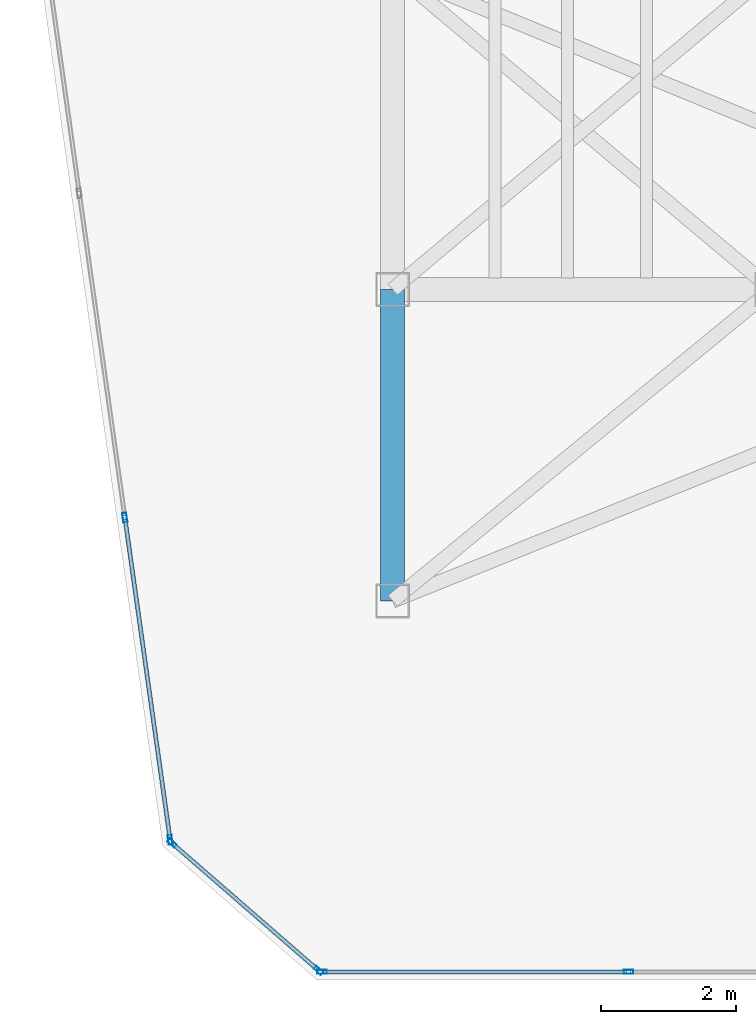
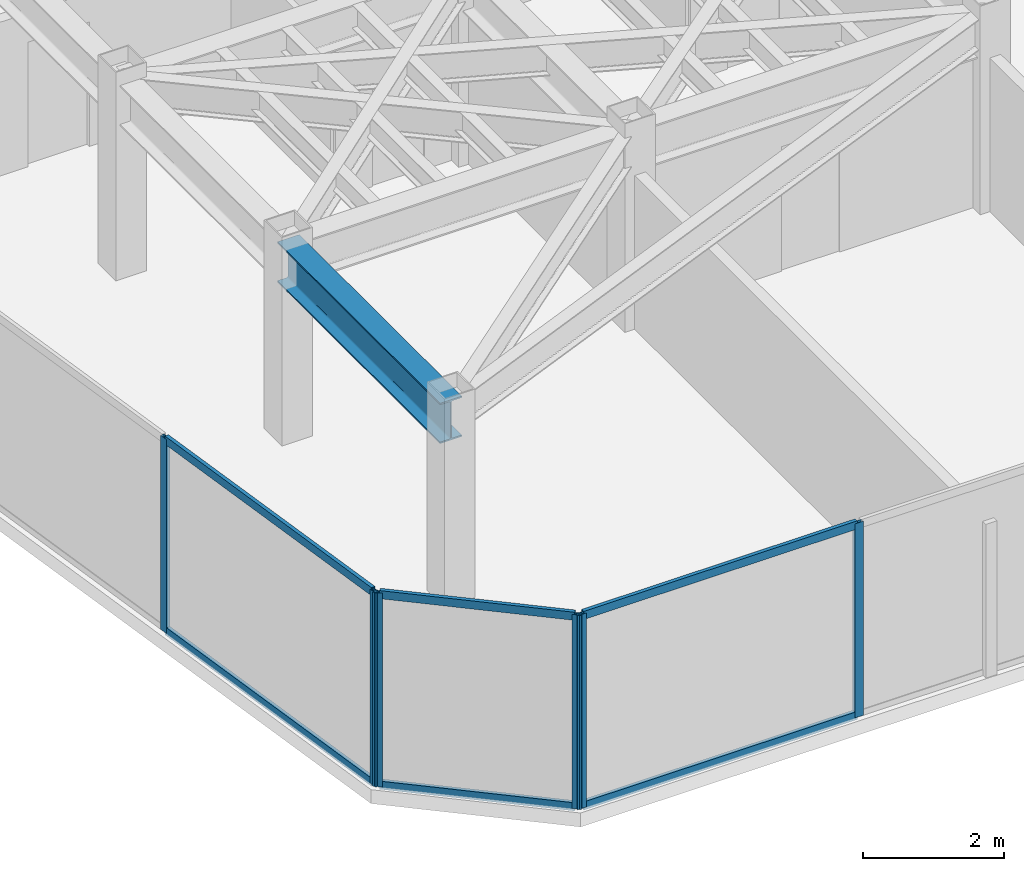
# One storey, part 2 of 20: 12 members, 1 beam, 3 elements without a shape of their own.
"""IFC4 building model written with IfcOpenShell, lengths in metres."""

import ifcopenshell
import ifcopenshell.guid

model = None  # the IFC model being written
_history = None  # IfcOwnerHistory: only IFC2X3 demands one
_inside = {}  # id of a spatial element -> (the spatial element, [elements in it])
_under = {}  # id of a project, library or spatial element -> (it, [spatial elements below it])
_declared = {}  # id of a project -> (the project, [libraries it declares])
_typed = {}  # id of a type object -> (the type object, [elements of that type])
_made_of = {}  # id of a material, layer set ... -> (it, [elements and type objects made of it])


def new_model(schema):
    """Start an empty IFC model of exactly this schema.

    Asked for "IFC4X3", IfcOpenShell would pick the latest addendum, in which some entities
    have other attributes; the version numbers below select the first issue.
    IFC2X3 requires an IfcOwnerHistory on every rooted entity: one is made here for all.
    """
    global model, _history
    if schema == "IFC4X3":
        model = ifcopenshell.file(schema_version=(4, 3, 0, 0))
    else:
        model = ifcopenshell.file(schema=schema)
    _inside.clear()
    _under.clear()
    _declared.clear()
    _typed.clear()
    _made_of.clear()
    _history = None
    if model.schema == "IFC2X3":
        org = make("IfcOrganization", Name="unknown")
        user = make(
            "IfcPersonAndOrganization",
            ThePerson=make("IfcPerson", FamilyName="unknown"),
            TheOrganization=org,
        )
        app = make(
            "IfcApplication",
            ApplicationDeveloper=org,
            Version="unknown",
            ApplicationFullName="unknown",
            ApplicationIdentifier="unknown",
        )
        _history = make(
            "IfcOwnerHistory",
            OwningUser=user,
            OwningApplication=app,
            ChangeAction="ADDED",
            CreationDate=0,
        )
    return model


def make(cls, **values):
    """One entity of the class cls with the attributes given. An attribute that is None is left unset."""
    return model.create_entity(
        cls, **{name: value for name, value in values.items() if value is not None}
    )


def rooted(cls, **values):
    """An entity with a GlobalId (a new one), such as an element, a storey or a relation."""
    return make(cls, GlobalId=ifcopenshell.guid.new(), OwnerHistory=_history, **values)


def si_unit(unit_type, name, prefix=None):
    """IfcSIUnit, for example si_unit("LENGTHUNIT", "METRE", prefix="MILLI")."""
    return make("IfcSIUnit", UnitType=unit_type, Prefix=prefix, Name=name)


def assignment(units):
    """IfcUnitAssignment: the units of a project."""
    return None if units is None else make("IfcUnitAssignment", Units=units)


def point(xyz):
    """IfcCartesianPoint."""
    return None if xyz is None else make("IfcCartesianPoint", Coordinates=xyz)


def direction(xyz):
    """IfcDirection."""
    return None if xyz is None else make("IfcDirection", DirectionRatios=xyz)


def frame(location, z_axis=None, x_axis=None):
    """IfcAxis2Placement3D, a coordinate frame: its origin and axes. An axis left out is left unset."""
    return make(
        "IfcAxis2Placement3D",
        Location=point(location),
        Axis=direction(z_axis),
        RefDirection=direction(x_axis),
    )


def frame_2d(location, x_axis=None):
    """IfcAxis2Placement2D, a coordinate frame in the plane: its origin and x axis."""
    return make(
        "IfcAxis2Placement2D", Location=point(location), RefDirection=direction(x_axis)
    )


def origin():
    """The frame at (0, 0, 0) with its axes left unset."""
    return frame((0.0, 0.0, 0.0))


def origin_2d():
    """The frame at (0, 0) in the plane with its x axis left unset."""
    return frame_2d((0.0, 0.0))


def place(relative_to, where):
    """IfcLocalPlacement: puts the frame where relative to a parent placement (None: the world)."""
    return make(
        "IfcLocalPlacement", PlacementRelTo=relative_to, RelativePlacement=where
    )


def context(
    kind, dimensions, precision=None, world=None, true_north=None, identifier=None
):
    """IfcGeometricRepresentationContext, for example the 3D "Model" context."""
    return make(
        "IfcGeometricRepresentationContext",
        ContextIdentifier=identifier,
        ContextType=kind,
        CoordinateSpaceDimension=dimensions,
        Precision=precision,
        WorldCoordinateSystem=world,
        TrueNorth=true_north,
    )


def subcontext(parent, identifier, kind, view, scale=None):
    """IfcGeometricRepresentationSubContext, for example "Body" below "Model"."""
    return make(
        "IfcGeometricRepresentationSubContext",
        ContextIdentifier=identifier,
        ContextType=kind,
        ParentContext=parent,
        TargetScale=scale,
        TargetView=view,
    )


def project(units=None, contexts=None):
    """IfcProject with its units and contexts."""
    return rooted(
        "IfcProject",
        Name="project",
        RepresentationContexts=contexts,
        UnitsInContext=assignment(units),
    )


def spatial(cls, under=None, at=None, **own):
    """A site, building, storey or space (cls), placed at a placement, below another one or the project."""
    s = rooted(cls, ObjectPlacement=at, **own)
    if under is not None:
        _under.setdefault(under.id(), (under, []))[1].append(s)
    return s


def profile(cls, at=None, kind="AREA", **sizes):
    """A parametric profile (cls). Its sizes go by their IFC names, for example OverallWidth=200.0."""
    return make(cls, ProfileType=kind, Position=at, **sizes)


def hollow_rectangle(**sizes):
    """IfcRectangleHollowProfileDef."""
    return profile("IfcRectangleHollowProfileDef", **sizes)


def i_section(**sizes):
    """IfcIShapeProfileDef."""
    return profile("IfcIShapeProfileDef", **sizes)


def extrude(swept, where, along, depth):
    """IfcExtrudedAreaSolid: the profile swept, set in the frame where, extruded along a direction by depth."""
    return make(
        "IfcExtrudedAreaSolid",
        SweptArea=swept,
        Position=where,
        ExtrudedDirection=direction(along),
        Depth=depth,
    )


def shape(context_of_items, identifier, shape_type, items):
    """IfcShapeRepresentation: the items that make up one representation, for example the "Body"."""
    return make(
        "IfcShapeRepresentation",
        ContextOfItems=context_of_items,
        RepresentationIdentifier=identifier,
        RepresentationType=shape_type,
        Items=items,
    )


def material(Name=None, Category=None):
    """IfcMaterial."""
    return make("IfcMaterial", Name=Name, Category=Category)


def layer(
    of_material, thickness, ventilated=None, Name=None, Category=None, Priority=None
):
    """IfcMaterialLayer: one layer of a wall or slab, of a material (None: an air gap)."""
    return make(
        "IfcMaterialLayer",
        Material=of_material,
        LayerThickness=thickness,
        IsVentilated=ventilated,
        Name=Name,
        Category=Category,
        Priority=Priority,
    )


def layer_set(layers, Name=None):
    """IfcMaterialLayerSet."""
    return make("IfcMaterialLayerSet", MaterialLayers=layers, LayerSetName=Name)


def material_profile(
    of_material, cross_section, Name=None, Category=None, Priority=None
):
    """IfcMaterialProfile: a cross section and its material."""
    return make(
        "IfcMaterialProfile",
        Name=Name,
        Material=of_material,
        Profile=cross_section,
        Priority=Priority,
        Category=Category,
    )


def profile_set(profiles, Name=None, composite=None):
    """IfcMaterialProfileSet."""
    return make(
        "IfcMaterialProfileSet",
        Name=Name,
        MaterialProfiles=profiles,
        CompositeProfile=composite,
    )


def made_of(thing, what):
    """Note that an element or type object is made of a material, layer set ...; save() writes the relation."""
    if what is not None:
        _made_of.setdefault(what.id(), (what, []))[1].append(thing)
    return thing


def type_object(cls, material=None, **own):
    """A type object (cls), such as IfcWallType, which elements share."""
    return made_of(rooted(cls, **own), material)


def element(
    cls,
    number,
    at=None,
    inside=None,
    cuts=None,
    type_object=None,
    material=None,
    context=None,
    identifier="Body",
    shape_type=None,
    held_by="IfcProductDefinitionShape",
    body=None,
    shapes=None,
    **own,
):
    """One element of the class cls, such as IfcWall. Its Tag is "e" and its number.

    at: its placement. inside: the storey or other place that contains it. cuts: it is an
    opening in that element (IfcRelVoidsElement). A single representation is given by context,
    identifier, shape_type and body (its items); several are given by shapes. held_by: the class
    of the entity that holds the representations. save() writes the other relations.
    """
    e = rooted(cls, Tag="e%d" % number, ObjectPlacement=at, **own)
    if body is not None:
        shapes = [shape(context, identifier, shape_type, body)]
    if shapes is not None:
        e.Representation = make(held_by, Representations=shapes)
    if inside is not None:
        _inside.setdefault(inside.id(), (inside, []))[1].append(e)
    if cuts is not None:
        rooted(
            "IfcRelVoidsElement", RelatingBuildingElement=cuts, RelatedOpeningElement=e
        )
    if type_object is not None:
        _typed.setdefault(type_object.id(), (type_object, []))[1].append(e)
    return made_of(e, material)


def aggregate(whole, parts):
    """IfcRelAggregates: a whole, such as a stair, and the parts it consists of."""
    return rooted("IfcRelAggregates", RelatingObject=whole, RelatedObjects=parts)


def save(model, path):
    """Write the relations noted so far, then the file.

    IfcRelAggregates (storeys below a building ...), IfcRelContainedInSpatialStructure (elements
    in a storey), IfcRelDefinesByType, IfcRelAssociatesMaterial and IfcRelDeclares: one each for
    every whole, place, type object, material and project.
    """
    for whole, parts in _under.values():
        aggregate(whole, parts)
    for where, things in _inside.values():
        rooted(
            "IfcRelContainedInSpatialStructure",
            RelatedElements=things,
            RelatingStructure=where,
        )
    for kind, things in _typed.values():
        rooted("IfcRelDefinesByType", RelatedObjects=things, RelatingType=kind)
    for what, things in _made_of.values():
        rooted("IfcRelAssociatesMaterial", RelatedObjects=things, RelatingMaterial=what)
    for by, libraries in _declared.values():
        rooted("IfcRelDeclares", RelatingContext=by, RelatedDefinitions=libraries)
    model.write(path)


model = new_model("IFC4")

# Units and contexts
model_context = context("Model", 3, precision=1e-05, world=origin(), true_north=direction((0.0, 1.0)))
body_context = subcontext(model_context, "Body", "Model", "MODEL_VIEW")
ifc_project = project(units=[si_unit("LENGTHUNIT", "METRE"), si_unit("AREAUNIT", "SQUARE_METRE"), si_unit("VOLUMEUNIT", "CUBIC_METRE"), si_unit("PLANEANGLEUNIT", "RADIAN"), si_unit("MASSUNIT", "GRAM", prefix="KILO")], contexts=[model_context])

# Site, building, storey
site_placement = place(None, origin())
site = spatial("IfcSite", under=ifc_project, at=site_placement, CompositionType="ELEMENT")
building_placement = place(site_placement, origin())
building = spatial("IfcBuilding", under=site, at=building_placement, Name="Kravanh Interchange Tower", CompositionType="ELEMENT")
storey_placement = place(building_placement, frame((0.0, 0.0, 241.800048828125)))
storey = spatial("IfcBuildingStorey", under=building, at=storey_placement, Name="L58", CompositionType="ELEMENT", Elevation=241.800048828125)

# Curtain wall, members
ifc_material_1 = material(Name="Anodised Bronze Aluminium", Category="aluminium")
ifc_layer = layer(ifc_material_1, 0.179931640625)
ifc_layer_set = layer_set([ifc_layer], Name="Unitised Curtain Wall System CW-HTL Luxury Hotel")
curtain_wall_type = type_object("IfcCurtainWallType", Name="Unitised Curtain Wall System CW-HTL Luxury Hotel", PredefinedType="NOTDEFINED", material=ifc_layer_set)
curtain_wall_1_placement = place(storey_placement, origin())
curtain_wall_1 = element("IfcCurtainWall", 1, at=curtain_wall_1_placement, inside=storey, type_object=curtain_wall_type, Name="L58 Unitised Curtain Wall CW-L58-01", PredefinedType="NOTDEFINED")
ifc_material_2 = material(Name="Anodised Bronze Aluminium", Category="aluminium")
ifc_material_profile_1 = material_profile(ifc_material_2, hollow_rectangle(XDim=0.06005859375, YDim=0.139892578125, WallThickness=0.00390625, at=origin_2d()), Name="ALU60X140X4")
ifc_profile_set_1 = profile_set([ifc_material_profile_1], Name="Anodised Bronze Aluminium")
member_type_1 = type_object("IfcMemberType", Name="Curtain Wall Mullion ALU60X140X4 Bronze", PredefinedType="MULLION", material=ifc_profile_set_1)
member_1_placement = place(storey_placement, frame((23.913330078125, 18.67138671875, 0.0), z_axis=(0.0, 0.0, 1.0), x_axis=(-0.990267623707, -0.13917626751, 0.0)))
member_1 = element("IfcMember", 2, at=member_1_placement, type_object=member_type_1, Name="CW-HTL mullion 1", PredefinedType="MULLION", context=body_context, shape_type="SweptSolid", body=[
    extrude(hollow_rectangle(XDim=0.06005859375, YDim=0.139892578125, WallThickness=0.00390625, at=origin_2d()), origin(), (0.0, 0.0, 1.0), 3.349853515625),
])
member_2_placement = place(storey_placement, frame((23.244384765625, 23.43115234375, 0.0), z_axis=(0.0, 0.0, 1.0), x_axis=(-0.990267623707, -0.13917626751, 0.0)))
member_2 = element("IfcMember", 3, at=member_2_placement, type_object=member_type_1, Name="CW-HTL mullion 2", PredefinedType="MULLION", context=body_context, shape_type="SweptSolid", body=[
    extrude(hollow_rectangle(XDim=0.06005859375, YDim=0.139892578125, WallThickness=0.00390625, at=origin_2d()), origin(), (0.0, 0.0, 1.0), 3.349853515625),
])

curtain_wall_2_placement = place(storey_placement, origin())
curtain_wall_2 = element("IfcCurtainWall", 4, at=curtain_wall_2_placement, inside=storey, type_object=curtain_wall_type, Name="L58 Unitised Curtain Wall CW-L58-06", PredefinedType="NOTDEFINED")
member_3_placement = place(storey_placement, frame((30.684326171875, 16.719970703125, 0.0), z_axis=(0.0, 0.0, 1.0), x_axis=(0.0, -1.0, 0.0)))
member_3 = element("IfcMember", 5, at=member_3_placement, type_object=member_type_1, Name="CW-HTL mullion 2", PredefinedType="MULLION", context=body_context, shape_type="SweptSolid", body=[
    extrude(hollow_rectangle(XDim=0.06005859375, YDim=0.139892578125, WallThickness=0.00390625, at=origin_2d()), origin(), (0.0, 0.0, 1.0), 3.349853515625),
])
member_4_placement = place(storey_placement, frame((26.158203125, 16.719970703125, 0.0), z_axis=(0.0, 0.0, 1.0), x_axis=(0.0, -1.0, 0.0)))
member_4 = element("IfcMember", 6, at=member_4_placement, type_object=member_type_1, Name="CW-HTL mullion 3", PredefinedType="MULLION", context=body_context, shape_type="SweptSolid", body=[
    extrude(hollow_rectangle(XDim=0.06005859375, YDim=0.139892578125, WallThickness=0.00390625, at=origin_2d()), origin(), (0.0, 0.0, 1.0), 3.349853515625),
])

curtain_wall_3_placement = place(storey_placement, origin())
curtain_wall_3 = element("IfcCurtainWall", 7, at=curtain_wall_3_placement, inside=storey, type_object=curtain_wall_type, Name="L58 Unitised Curtain Wall CW-L58-07", PredefinedType="NOTDEFINED")
member_5_placement = place(storey_placement, frame((26.10546875, 16.73974609375, 0.0), z_axis=(0.0, 0.0, 1.0), x_axis=(-0.656033323139, -0.75473192521, 0.0)))
member_5 = element("IfcMember", 8, at=member_5_placement, type_object=member_type_1, Name="CW-HTL mullion 1", PredefinedType="MULLION", context=body_context, shape_type="SweptSolid", body=[
    extrude(hollow_rectangle(XDim=0.06005859375, YDim=0.139892578125, WallThickness=0.00390625, at=origin_2d()), origin(), (0.0, 0.0, 1.0), 3.349853515625),
])
member_6_placement = place(storey_placement, frame((23.940185546875, 18.621826171875, 0.0), z_axis=(0.0, 0.0, 1.0), x_axis=(-0.656033323139, -0.75473192521, 0.0)))
member_6 = element("IfcMember", 9, at=member_6_placement, type_object=member_type_1, Name="CW-HTL mullion 2", PredefinedType="MULLION", context=body_context, shape_type="SweptSolid", body=[
    extrude(hollow_rectangle(XDim=0.06005859375, YDim=0.139892578125, WallThickness=0.00390625, at=origin_2d()), origin(), (0.0, 0.0, 1.0), 3.349853515625),
])

# Member
ifc_material_3 = material(Name="Anodised Bronze Aluminium", Category="aluminium")
ifc_material_profile_2 = material_profile(ifc_material_3, hollow_rectangle(XDim=0.06005859375, YDim=0.139892578125, WallThickness=0.00390625, at=origin_2d()), Name="ALU60X140X4")
ifc_profile_set_2 = profile_set([ifc_material_profile_2], Name="Anodised Bronze Aluminium")
member_type_2 = type_object("IfcMemberType", Name="Curtain Wall Transom ALU60X140X4 Bronze", PredefinedType="USERDEFINED", material=ifc_profile_set_2)
member_7_placement = place(storey_placement, frame((23.9091796875, 18.700927734375, 0.030029296875), z_axis=(-0.139174451053, 0.990267878997, 0.0), x_axis=(-0.990267878997, -0.139174451053, 0.0)))
member_7 = element("IfcMember", 10, at=member_7_placement, type_object=member_type_2, Name="CW-HTL transom 1.1", ObjectType="TRANSOM", PredefinedType="USERDEFINED", context=body_context, shape_type="SweptSolid", body=[
    extrude(hollow_rectangle(XDim=0.06005859375, YDim=0.139892578125, WallThickness=0.00390625, at=origin_2d()), origin(), (0.0, 0.0, 1.0), 4.746826171875),
])

member_8_placement = place(storey_placement, frame((23.9091796875, 18.700927734375, 3.320068359375), z_axis=(-0.139174451053, 0.990267878997, 0.0), x_axis=(-0.990267878997, -0.139174451053, 0.0)))
member_8 = element("IfcMember", 11, at=member_8_placement, type_object=member_type_2, Name="CW-HTL transom 1.2", ObjectType="TRANSOM", PredefinedType="USERDEFINED", context=body_context, shape_type="SweptSolid", body=[
    extrude(hollow_rectangle(XDim=0.06005859375, YDim=0.139892578125, WallThickness=0.00390625, at=origin_2d()), origin(), (0.0, 0.0, 1.0), 4.746826171875),
])

aggregate(curtain_wall_1, [member_1, member_2, member_7, member_8])

member_9_placement = place(storey_placement, frame((30.654296875, 16.719970703125, 0.030029296875), z_axis=(-1.0, 0.0, 0.0), x_axis=(0.0, -1.0, 0.0)))
member_9 = element("IfcMember", 12, at=member_9_placement, type_object=member_type_2, Name="CW-HTL transom 2.1", ObjectType="TRANSOM", PredefinedType="USERDEFINED", context=body_context, shape_type="SweptSolid", body=[
    extrude(hollow_rectangle(XDim=0.06005859375, YDim=0.139892578125, WallThickness=0.00390625, at=origin_2d()), origin(), (0.0, 0.0, 1.0), 4.466064453125),
])

member_10_placement = place(storey_placement, frame((30.654296875, 16.719970703125, 3.320068359375), z_axis=(-1.0, 0.0, 0.0), x_axis=(0.0, -1.0, 0.0)))
member_10 = element("IfcMember", 13, at=member_10_placement, type_object=member_type_2, Name="CW-HTL transom 2.2", ObjectType="TRANSOM", PredefinedType="USERDEFINED", context=body_context, shape_type="SweptSolid", body=[
    extrude(hollow_rectangle(XDim=0.06005859375, YDim=0.139892578125, WallThickness=0.00390625, at=origin_2d()), origin(), (0.0, 0.0, 1.0), 4.466064453125),
])

aggregate(curtain_wall_2, [member_3, member_4, member_9, member_10])

member_11_placement = place(storey_placement, frame((26.0830078125, 16.75927734375, 0.030029296875), z_axis=(-0.754704676026, 0.656064670581, 0.0), x_axis=(-0.656064670581, -0.754704676026, 0.0)))
member_11 = element("IfcMember", 14, at=member_11_placement, type_object=member_type_2, Name="CW-HTL transom 1.1", ObjectType="TRANSOM", PredefinedType="USERDEFINED", context=body_context, shape_type="SweptSolid", body=[
    extrude(hollow_rectangle(XDim=0.06005859375, YDim=0.139892578125, WallThickness=0.00390625, at=origin_2d()), origin(), (0.0, 0.0, 1.0), 2.80908203125),
])

member_12_placement = place(storey_placement, frame((26.0830078125, 16.75927734375, 3.320068359375), z_axis=(-0.754704676026, 0.656064670581, 0.0), x_axis=(-0.656064670581, -0.754704676026, 0.0)))
member_12 = element("IfcMember", 15, at=member_12_placement, type_object=member_type_2, Name="CW-HTL transom 1.2", ObjectType="TRANSOM", PredefinedType="USERDEFINED", context=body_context, shape_type="SweptSolid", body=[
    extrude(hollow_rectangle(XDim=0.06005859375, YDim=0.139892578125, WallThickness=0.00390625, at=origin_2d()), origin(), (0.0, 0.0, 1.0), 2.80908203125),
])

aggregate(curtain_wall_3, [member_5, member_6, member_11, member_12])

# Beam
ifc_material_4 = material(Name="Structural Steel S355", Category="steel")
ifc_material_profile_3 = material_profile(ifc_material_4, i_section(OverallWidth=0.35498046875, OverallDepth=0.696044921875, WebThickness=0.015380859375, FlangeThickness=0.02490234375, FilletRadius=0.02392578125, at=origin_2d()), Name="W27X146")
ifc_profile_set_3 = profile_set([ifc_material_profile_3], Name="Structural Steel S355")
beam_type = type_object("IfcBeamType", Name="Floor Beam W27X146 Structural Steel S355", PredefinedType="BEAM", material=ifc_profile_set_3)
beam_placement = place(storey_placement, frame((27.199951171875, 22.199951171875, 3.001953125), z_axis=(0.0, 1.0, 0.0), x_axis=(-1.0, 0.0, 0.0)))
element("IfcBeam", 16, at=beam_placement, inside=storey, type_object=beam_type, Name="L58 Primary Floor Girder 40", PredefinedType="BEAM", context=body_context, shape_type="SweptSolid", body=[
    extrude(i_section(OverallWidth=0.35498046875, OverallDepth=0.696044921875, WebThickness=0.015380859375, FlangeThickness=0.02490234375, FilletRadius=0.02392578125, at=origin_2d()), origin(), (0.0, 0.0, 1.0), 4.60009765625),
])

save(model, "model.ifc")
